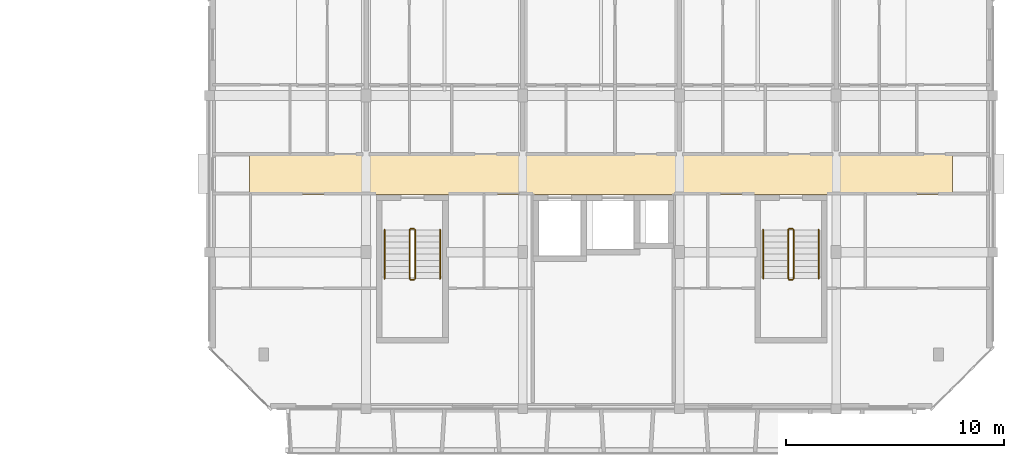
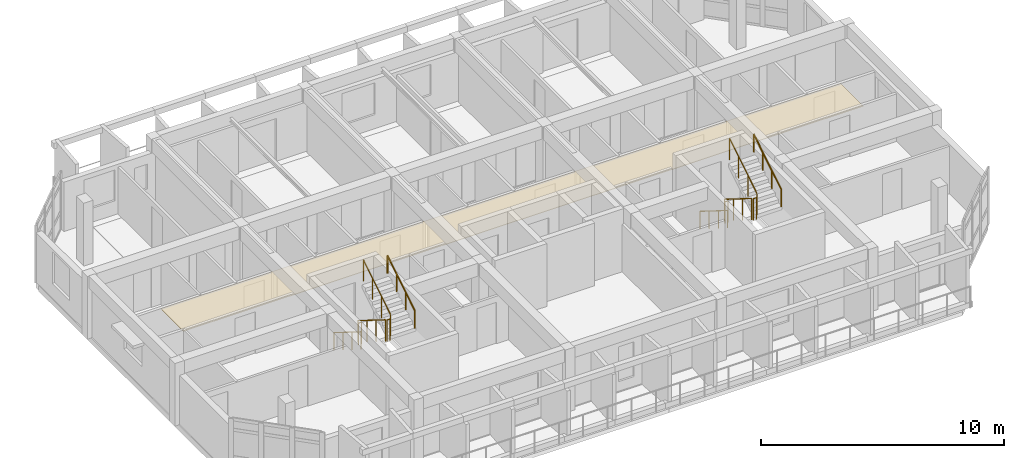
# One storey, part 42 of 43: 12 railings, 1 covering.
"""IFC4 building model written with IfcOpenShell, lengths in metres."""

from ifc_helpers import new_model, si_unit, direction, frame, origin, origin_2d, place, context, subcontext, project, spatial, polyline, circle, outline, extrude, material, layer, layer_set, type_object, element, save


model = new_model("IFC4")

# Units and contexts
model_context = context("Model", 3, precision=1e-05, world=origin(), true_north=direction((0.0, 1.0)))
body_context = subcontext(model_context, "Body", "Model", "MODEL_VIEW")
ifc_project = project(units=[si_unit("LENGTHUNIT", "METRE"), si_unit("AREAUNIT", "SQUARE_METRE"), si_unit("VOLUMEUNIT", "CUBIC_METRE"), si_unit("PLANEANGLEUNIT", "RADIAN"), si_unit("MASSUNIT", "GRAM", prefix="KILO")], contexts=[model_context])

# Site, building, storey
site_placement = place(None, origin())
site = spatial("IfcSite", under=ifc_project, at=site_placement, CompositionType="ELEMENT")
building_placement = place(site_placement, origin())
building = spatial("IfcBuilding", under=site, at=building_placement, Name="Ochrevale Crest", CompositionType="ELEMENT")
storey_placement = place(building_placement, frame((0.0, 0.0, 30.75)))
storey = spatial("IfcBuildingStorey", under=building, at=storey_placement, Name="L09", CompositionType="ELEMENT", Elevation=30.75)

# Covering
ifc_material_1 = material(Name="Gypsum plasterboard", Category="gypsum")
ifc_layer = layer(ifc_material_1, 0.02490234375)
ifc_layer_set = layer_set([ifc_layer], Name="Gypsum plasterboard")
covering_type = type_object("IfcCoveringType", Name="COV-CEIL-GYP", PredefinedType="CEILING", material=ifc_layer_set)
covering_placement = place(storey_placement, frame((0.0, 0.0, 2.280029296875)))
element("IfcCovering", 1, at=covering_placement, inside=storey, type_object=covering_type, Name="Block D L09 acoustic corridor ceiling", PredefinedType="CEILING", context=body_context, shape_type="SweptSolid", body=[
    extrude(outline(polyline([(131.449951171875, 81.860107421875), (163.75, 81.860107421875), (163.75, 83.739990234375), (131.449951171875, 83.739990234375), (131.449951171875, 81.860107421875)])), origin(), (0.0, 0.0, 1.0), 0.02490234375),
])

# Railings
ifc_material_2 = material(Name="Galvanised steel", Category="steel")
railing_type_1 = type_object("IfcRailingType", Name="RL-ST-GUARD", PredefinedType="BALUSTRADE", material=ifc_material_2)
railing_1_placement = place(storey_placement, frame((138.800048828125, 80.22509765625, 0.175048828125)))
element("IfcRailing", 2, at=railing_1_placement, inside=storey, type_object=railing_type_1, Name="L09 ST-D1 stair guard 1", PredefinedType="BALUSTRADE", context=body_context, shape_type="SweptSolid", body=[
    extrude(circle(Radius=0.02392578125, at=origin_2d()), frame((0.0, 0.0, 1.076171875), z_axis=(0.0, -0.848013881152, 0.529974015752), x_axis=(1.0, 0.0, 0.0)), (0.0, 0.0, 1.0), 2.641357421875),
    extrude(circle(Radius=0.02099609375, at=origin_2d()), origin(), (0.0, 0.0, 1.0), 1.052001953125),
    extrude(circle(Radius=0.02099609375, at=origin_2d()), frame((0.0, -0.74658203125, 0.466552734375)), (0.0, 0.0, 1.0), 1.052001953125),
    extrude(circle(Radius=0.02099609375, at=origin_2d()), frame((0.0, -1.493408203125, 0.933349609375)), (0.0, 0.0, 1.0), 1.052001953125),
    extrude(circle(Radius=0.02099609375, at=origin_2d()), frame((0.0, -2.239990234375, 1.39990234375)), (0.0, 0.0, 1.0), 1.052001953125),
])
railing_2_placement = place(storey_placement, frame((138.85009765625, 77.93505859375, 1.574951171875)))
element("IfcRailing", 3, at=railing_2_placement, inside=storey, type_object=railing_type_1, Name="L09 ST-D1 stair guard 2", PredefinedType="BALUSTRADE", context=body_context, shape_type="SweptSolid", body=[
    extrude(circle(Radius=0.02392578125, at=origin_2d()), frame((0.0, 0.0, 1.076171875), z_axis=(1.0, 0.0, 0.0), x_axis=(0.0, 1.0, 0.0)), (0.0, 0.0, 1.0), 0.14990234375),
    extrude(circle(Radius=0.02099609375, at=origin_2d()), origin(), (0.0, 0.0, 1.0), 1.052001953125),
    extrude(circle(Radius=0.02099609375, at=origin_2d()), frame((0.14990234375, 0.0, 0.0)), (0.0, 0.0, 1.0), 1.052001953125),
])
railing_3_placement = place(storey_placement, frame((139.050048828125, 77.985107421875, 1.75)))
element("IfcRailing", 4, at=railing_3_placement, inside=storey, type_object=railing_type_1, Name="L09 ST-D1 stair guard 3", PredefinedType="BALUSTRADE", context=body_context, shape_type="SweptSolid", body=[
    extrude(circle(Radius=0.02392578125, at=origin_2d()), frame((0.0, 0.0, 1.076171875), z_axis=(0.0, 0.848013881152, 0.529974015752), x_axis=(-1.0, 0.0, 0.0)), (0.0, 0.0, 1.0), 2.641357421875),
    extrude(circle(Radius=0.02099609375, at=origin_2d()), origin(), (0.0, 0.0, 1.0), 1.052001953125),
    extrude(circle(Radius=0.02099609375, at=origin_2d()), frame((0.0, 0.74658203125, 0.466552734375)), (0.0, 0.0, 1.0), 1.052001953125),
    extrude(circle(Radius=0.02099609375, at=origin_2d()), frame((0.0, 1.493408203125, 0.933349609375)), (0.0, 0.0, 1.0), 1.052001953125),
    extrude(circle(Radius=0.02099609375, at=origin_2d()), frame((0.0, 2.239990234375, 1.39990234375)), (0.0, 0.0, 1.0), 1.052001953125),
])
railing_4_placement = place(storey_placement, frame((138.85009765625, 80.27490234375, 0.0)))
element("IfcRailing", 5, at=railing_4_placement, inside=storey, type_object=railing_type_1, Name="L09 ST-D1 stair guard 4", PredefinedType="BALUSTRADE", context=body_context, shape_type="SweptSolid", body=[
    extrude(circle(Radius=0.02392578125, at=origin_2d()), frame((0.0, 0.0, 1.076171875), z_axis=(1.0, 0.0, 0.0), x_axis=(0.0, 1.0, 0.0)), (0.0, 0.0, 1.0), 0.14990234375),
    extrude(circle(Radius=0.02099609375, at=origin_2d()), origin(), (0.0, 0.0, 1.0), 1.052001953125),
    extrude(circle(Radius=0.02099609375, at=origin_2d()), frame((0.14990234375, 0.0, 0.0)), (0.0, 0.0, 1.0), 1.052001953125),
])
railing_5_placement = place(storey_placement, frame((156.199951171875, 80.22509765625, 0.175048828125)))
element("IfcRailing", 6, at=railing_5_placement, inside=storey, type_object=railing_type_1, Name="L09 ST-D2 stair guard 1", PredefinedType="BALUSTRADE", context=body_context, shape_type="SweptSolid", body=[
    extrude(circle(Radius=0.02392578125, at=origin_2d()), frame((0.0, 0.0, 1.076171875), z_axis=(0.0, -0.848013881152, 0.529974015752), x_axis=(1.0, 0.0, 0.0)), (0.0, 0.0, 1.0), 2.641357421875),
    extrude(circle(Radius=0.02099609375, at=origin_2d()), origin(), (0.0, 0.0, 1.0), 1.052001953125),
    extrude(circle(Radius=0.02099609375, at=origin_2d()), frame((0.0, -0.74658203125, 0.466552734375)), (0.0, 0.0, 1.0), 1.052001953125),
    extrude(circle(Radius=0.02099609375, at=origin_2d()), frame((0.0, -1.493408203125, 0.933349609375)), (0.0, 0.0, 1.0), 1.052001953125),
    extrude(circle(Radius=0.02099609375, at=origin_2d()), frame((0.0, -2.239990234375, 1.39990234375)), (0.0, 0.0, 1.0), 1.052001953125),
])
railing_6_placement = place(storey_placement, frame((156.25, 77.93505859375, 1.574951171875)))
element("IfcRailing", 7, at=railing_6_placement, inside=storey, type_object=railing_type_1, Name="L09 ST-D2 stair guard 2", PredefinedType="BALUSTRADE", context=body_context, shape_type="SweptSolid", body=[
    extrude(circle(Radius=0.02392578125, at=origin_2d()), frame((0.0, 0.0, 1.076171875), z_axis=(1.0, 0.0, 0.0), x_axis=(0.0, 1.0, 0.0)), (0.0, 0.0, 1.0), 0.14990234375),
    extrude(circle(Radius=0.02099609375, at=origin_2d()), origin(), (0.0, 0.0, 1.0), 1.052001953125),
    extrude(circle(Radius=0.02099609375, at=origin_2d()), frame((0.14990234375, 0.0, 0.0)), (0.0, 0.0, 1.0), 1.052001953125),
])
railing_7_placement = place(storey_placement, frame((156.449951171875, 77.985107421875, 1.75)))
element("IfcRailing", 8, at=railing_7_placement, inside=storey, type_object=railing_type_1, Name="L09 ST-D2 stair guard 3", PredefinedType="BALUSTRADE", context=body_context, shape_type="SweptSolid", body=[
    extrude(circle(Radius=0.02392578125, at=origin_2d()), frame((0.0, 0.0, 1.076171875), z_axis=(0.0, 0.848013881152, 0.529974015752), x_axis=(-1.0, 0.0, 0.0)), (0.0, 0.0, 1.0), 2.641357421875),
    extrude(circle(Radius=0.02099609375, at=origin_2d()), origin(), (0.0, 0.0, 1.0), 1.052001953125),
    extrude(circle(Radius=0.02099609375, at=origin_2d()), frame((0.0, 0.74658203125, 0.466552734375)), (0.0, 0.0, 1.0), 1.052001953125),
    extrude(circle(Radius=0.02099609375, at=origin_2d()), frame((0.0, 1.493408203125, 0.933349609375)), (0.0, 0.0, 1.0), 1.052001953125),
    extrude(circle(Radius=0.02099609375, at=origin_2d()), frame((0.0, 2.239990234375, 1.39990234375)), (0.0, 0.0, 1.0), 1.052001953125),
])
railing_8_placement = place(storey_placement, frame((156.25, 80.27490234375, 0.0)))
element("IfcRailing", 9, at=railing_8_placement, inside=storey, type_object=railing_type_1, Name="L09 ST-D2 stair guard 4", PredefinedType="BALUSTRADE", context=body_context, shape_type="SweptSolid", body=[
    extrude(circle(Radius=0.02392578125, at=origin_2d()), frame((0.0, 0.0, 1.076171875), z_axis=(1.0, 0.0, 0.0), x_axis=(0.0, 1.0, 0.0)), (0.0, 0.0, 1.0), 0.14990234375),
    extrude(circle(Radius=0.02099609375, at=origin_2d()), origin(), (0.0, 0.0, 1.0), 1.052001953125),
    extrude(circle(Radius=0.02099609375, at=origin_2d()), frame((0.14990234375, 0.0, 0.0)), (0.0, 0.0, 1.0), 1.052001953125),
])
ifc_material_3 = material(Name="Stainless steel", Category="steel")
railing_type_2 = type_object("IfcRailingType", Name="RL-ST-HRAIL", PredefinedType="HANDRAIL", material=ifc_material_3)
railing_9_placement = place(storey_placement, frame((137.64990234375, 80.22509765625, 0.175048828125)))
element("IfcRailing", 10, at=railing_9_placement, inside=storey, type_object=railing_type_2, Name="L09 ST-D1 stair handrail 1", PredefinedType="HANDRAIL", context=body_context, shape_type="SweptSolid", body=[
    extrude(circle(Radius=0.02392578125, at=origin_2d()), frame((0.0, 0.0, 0.8759765625), z_axis=(0.0, -0.848013881152, 0.529974015752), x_axis=(1.0, 0.0, 0.0)), (0.0, 0.0, 1.0), 2.641357421875),
    extrude(circle(Radius=0.02099609375, at=origin_2d()), origin(), (0.0, 0.0, 1.0), 0.851806640625),
    extrude(circle(Radius=0.02099609375, at=origin_2d()), frame((0.0, -0.74658203125, 0.466552734375)), (0.0, 0.0, 1.0), 0.851806640625),
    extrude(circle(Radius=0.02099609375, at=origin_2d()), frame((0.0, -1.493408203125, 0.933349609375)), (0.0, 0.0, 1.0), 0.851806640625),
    extrude(circle(Radius=0.02099609375, at=origin_2d()), frame((0.0, -2.239990234375, 1.39990234375)), (0.0, 0.0, 1.0), 0.851806640625),
])
railing_10_placement = place(storey_placement, frame((140.199951171875, 77.985107421875, 1.75)))
element("IfcRailing", 11, at=railing_10_placement, inside=storey, type_object=railing_type_2, Name="L09 ST-D1 stair handrail 2", PredefinedType="HANDRAIL", context=body_context, shape_type="SweptSolid", body=[
    extrude(circle(Radius=0.02392578125, at=origin_2d()), frame((0.0, 0.0, 0.8759765625), z_axis=(0.0, 0.848013881152, 0.529974015752), x_axis=(-1.0, 0.0, 0.0)), (0.0, 0.0, 1.0), 2.641357421875),
    extrude(circle(Radius=0.02099609375, at=origin_2d()), origin(), (0.0, 0.0, 1.0), 0.851806640625),
    extrude(circle(Radius=0.02099609375, at=origin_2d()), frame((0.0, 0.74658203125, 0.466552734375)), (0.0, 0.0, 1.0), 0.851806640625),
    extrude(circle(Radius=0.02099609375, at=origin_2d()), frame((0.0, 1.493408203125, 0.933349609375)), (0.0, 0.0, 1.0), 0.851806640625),
    extrude(circle(Radius=0.02099609375, at=origin_2d()), frame((0.0, 2.239990234375, 1.39990234375)), (0.0, 0.0, 1.0), 0.851806640625),
])
railing_11_placement = place(storey_placement, frame((155.050048828125, 80.22509765625, 0.175048828125)))
element("IfcRailing", 12, at=railing_11_placement, inside=storey, type_object=railing_type_2, Name="L09 ST-D2 stair handrail 1", PredefinedType="HANDRAIL", context=body_context, shape_type="SweptSolid", body=[
    extrude(circle(Radius=0.02392578125, at=origin_2d()), frame((0.0, 0.0, 0.8759765625), z_axis=(0.0, -0.848013881152, 0.529974015752), x_axis=(1.0, 0.0, 0.0)), (0.0, 0.0, 1.0), 2.641357421875),
    extrude(circle(Radius=0.02099609375, at=origin_2d()), origin(), (0.0, 0.0, 1.0), 0.851806640625),
    extrude(circle(Radius=0.02099609375, at=origin_2d()), frame((0.0, -0.74658203125, 0.466552734375)), (0.0, 0.0, 1.0), 0.851806640625),
    extrude(circle(Radius=0.02099609375, at=origin_2d()), frame((0.0, -1.493408203125, 0.933349609375)), (0.0, 0.0, 1.0), 0.851806640625),
    extrude(circle(Radius=0.02099609375, at=origin_2d()), frame((0.0, -2.239990234375, 1.39990234375)), (0.0, 0.0, 1.0), 0.851806640625),
])
railing_12_placement = place(storey_placement, frame((157.60009765625, 77.985107421875, 1.75)))
element("IfcRailing", 13, at=railing_12_placement, inside=storey, type_object=railing_type_2, Name="L09 ST-D2 stair handrail 2", PredefinedType="HANDRAIL", context=body_context, shape_type="SweptSolid", body=[
    extrude(circle(Radius=0.02392578125, at=origin_2d()), frame((0.0, 0.0, 0.8759765625), z_axis=(0.0, 0.848013881152, 0.529974015752), x_axis=(-1.0, 0.0, 0.0)), (0.0, 0.0, 1.0), 2.641357421875),
    extrude(circle(Radius=0.02099609375, at=origin_2d()), origin(), (0.0, 0.0, 1.0), 0.851806640625),
    extrude(circle(Radius=0.02099609375, at=origin_2d()), frame((0.0, 0.74658203125, 0.466552734375)), (0.0, 0.0, 1.0), 0.851806640625),
    extrude(circle(Radius=0.02099609375, at=origin_2d()), frame((0.0, 1.493408203125, 0.933349609375)), (0.0, 0.0, 1.0), 0.851806640625),
    extrude(circle(Radius=0.02099609375, at=origin_2d()), frame((0.0, 2.239990234375, 1.39990234375)), (0.0, 0.0, 1.0), 0.851806640625),
])

save(model, "model.ifc")
